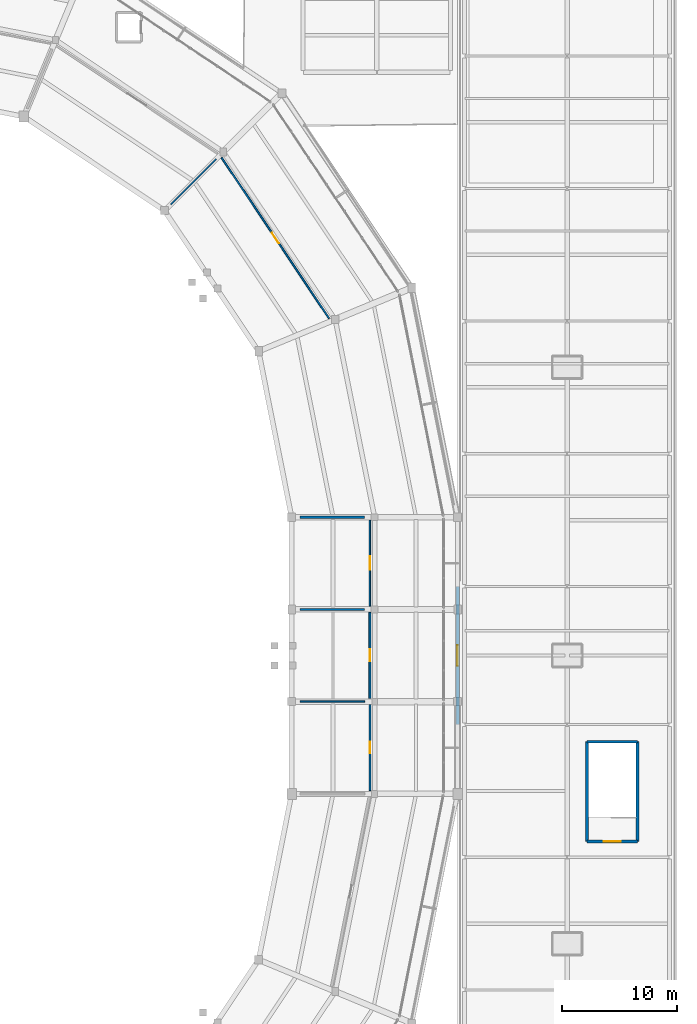
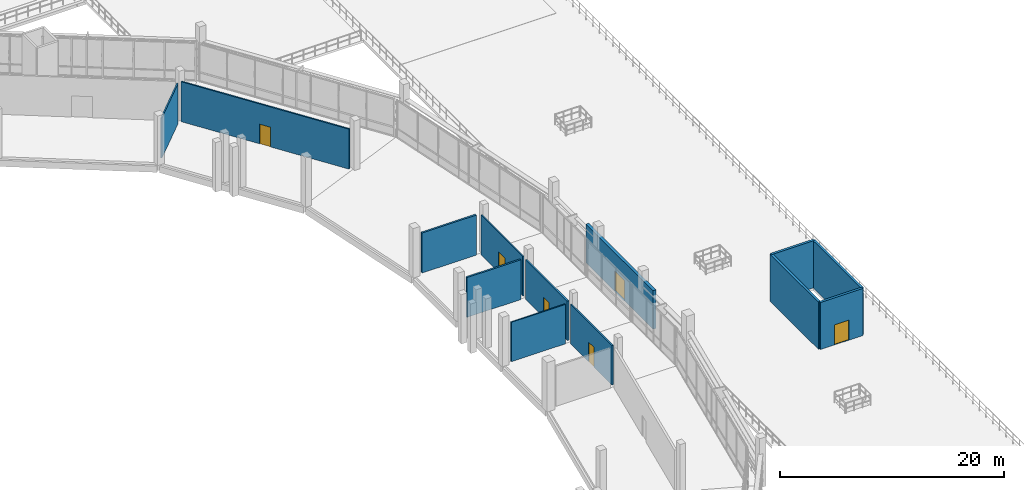
# One storey, part 77 of 111: 13 walls, 6 doors, 6 openings.
"""IFC4 building model written with IfcOpenShell, lengths in metres."""

from ifc_helpers import new_model, si_unit, direction, frame, frame_2d, origin, place, context, subcontext, project, spatial, rectangle, extrude, material, layer, layer_set, type_object, element, fill, save


model = new_model("IFC4")

# Units and contexts
model_context = context("Model", 3, precision=1e-05, world=origin(), true_north=direction((0.0, 1.0)))
body_context = subcontext(model_context, "Body", "Model", "MODEL_VIEW")
ifc_project = project(units=[si_unit("LENGTHUNIT", "METRE"), si_unit("AREAUNIT", "SQUARE_METRE"), si_unit("VOLUMEUNIT", "CUBIC_METRE"), si_unit("PLANEANGLEUNIT", "RADIAN"), si_unit("MASSUNIT", "GRAM", prefix="KILO")], contexts=[model_context])

# Site, building, storey
site_placement = place(None, origin())
site = spatial("IfcSite", under=ifc_project, at=site_placement, CompositionType="ELEMENT")
building_placement = place(site_placement, origin())
building = spatial("IfcBuilding", under=site, at=building_placement, Name="Candeia Ridge Stadium", CompositionType="ELEMENT")
storey_placement = place(building_placement, frame((0.0, 0.0, 16.199951171875)))
storey = spatial("IfcBuildingStorey", under=building, at=storey_placement, Name="L03", CompositionType="ELEMENT", Elevation=16.199951171875)

# Wall, opening, door
ifc_material_1 = material(Name="Gypsum Metal-Stud Partition", Category="gypsum")
ifc_layer_1 = layer(ifc_material_1, 0.14501953125, Name="Gypsum Metal-Stud Partition", Category="gypsum")
ifc_layer_set_1 = layer_set([ifc_layer_1], Name="Gypsum Metal-Stud Partition")
wall_type_1 = type_object("IfcWallType", Name="Athlete Recovery Partition 145", PredefinedType="PARTITIONING", material=ifc_layer_set_1)
wall_1_placement = place(storey_placement, frame((185.39990234375, 78.75, 0.0), z_axis=(0.0, 0.0, 1.0), x_axis=(0.0, -1.0, 0.0)))
wall_1 = element("IfcWall", 1, at=wall_1_placement, inside=storey, type_object=wall_type_1, Name="Interior partition PT-L03-0609", PredefinedType="PARTITIONING", context=body_context, shape_type="SweptSolid", body=[
    extrude(rectangle(XDim=7.4599609375, YDim=0.14501953125, at=frame_2d((3.72998046875, 0.0))), origin(), (0.0, 0.0, 1.0), 4.304931640625),
])
opening_1_placement = place(wall_1_placement, frame((3.239990234375, 0.0, 0.0)))
opening_1 = element("IfcOpeningElement", 2, at=opening_1_placement, cuts=wall_1, Name="Opening ID12", PredefinedType="OPENING", context=body_context, shape_type="SweptSolid", body=[
    extrude(rectangle(XDim=0.97998046875, YDim=2.14990234375, at=frame_2d((0.489990234375, 1.074951171875))), frame((0.0, 0.08251953125, 0.0), z_axis=(0.0, -1.0, 0.0), x_axis=(1.0, 0.0, 0.0)), (0.0, 0.0, 1.0), 0.1650390625),
])
ifc_material_2 = material(Name="Acoustic Timber Studio Leaf", Category="wood")
door_type_1 = type_object("IfcDoorType", Name="Commentary Booth Acoustic Door 980x2150", OperationType="NOTDEFINED", PredefinedType="DOOR", material=ifc_material_2)
door_1_placement = place(opening_1_placement, frame((0.97998046875, 0.0, 0.0), z_axis=(0.0, 0.0, 1.0), x_axis=(-1.0, 0.0, 0.0)))
door_1 = element("IfcDoor", 3, at=door_1_placement, inside=storey, type_object=door_type_1, Name="Interior room door D-L03-0313", OperationType="SINGLE_SWING_LEFT", OverallHeight=2.14990234375, OverallWidth=0.97998046875, PredefinedType="DOOR", context=body_context, shape_type="SweptSolid", body=[
    extrude(rectangle(XDim=0.97998046875, YDim=2.14990234375, at=frame_2d((0.489990234375, 1.074951171875))), frame((0.0, 0.02490234375, 0.0), z_axis=(0.0, -1.0, 0.0), x_axis=(1.0, 0.0, 0.0)), (0.0, 0.0, 1.0), 0.050048828125),
])
fill(opening_1, door_1)

wall_2_placement = place(storey_placement, frame((172.534423828125, 126.1875, 0.0), z_axis=(0.0, 0.0, 1.0), x_axis=(0.555572701103, -0.831467963177, 0.0)))
wall_2 = element("IfcWall", 4, at=wall_2_placement, inside=storey, type_object=wall_type_1, Name="Interior partition PT-L03-0615", PredefinedType="PARTITIONING", context=body_context, shape_type="SweptSolid", body=[
    extrude(rectangle(XDim=16.782958984375, YDim=0.14501953125, at=frame_2d((8.3916015625, 0.0))), origin(), (0.0, 0.0, 1.0), 4.364990234375),
])
opening_2_placement = place(wall_2_placement, frame((7.841552734375, 0.0, 0.0)))
opening_2 = element("IfcOpeningElement", 5, at=opening_2_placement, cuts=wall_2, Name="Opening FD04", PredefinedType="OPENING", context=body_context, shape_type="SweptSolid", body=[
    extrude(rectangle(XDim=1.10009765625, YDim=2.14990234375, at=frame_2d((0.550048828125, 1.074951171875))), frame((0.0, 0.08251953125, 0.0), z_axis=(0.0, -1.0, 0.0), x_axis=(1.0, 0.0, 0.0)), (0.0, 0.0, 1.0), 0.1650390625),
])
ifc_material_3 = material(Name="Galvanized Fire-Rated Steel", Category="steel")
door_type_2 = type_object("IfcDoorType", Name="Plant & Riser Rated Door 1100x2150", OperationType="NOTDEFINED", PredefinedType="DOOR", material=ifc_material_3)
door_2_placement = place(opening_2_placement, origin())
door_2 = element("IfcDoor", 6, at=door_2_placement, inside=storey, type_object=door_type_2, Name="Interior room door D-L03-0316", OperationType="SINGLE_SWING_RIGHT", OverallHeight=2.14990234375, OverallWidth=1.10009765625, PredefinedType="DOOR", context=body_context, shape_type="SweptSolid", body=[
    extrude(rectangle(XDim=1.10009765625, YDim=2.14990234375, at=frame_2d((0.550048828125, 1.074951171875))), frame((0.0, 0.02490234375, 0.0), z_axis=(0.0, -1.0, 0.0), x_axis=(1.0, 0.0, 0.0)), (0.0, 0.0, 1.0), 0.050048828125),
])
fill(opening_2, door_2)

# Walls
ifc_material_4 = material(Name="Concrete C40/50", Category="concrete")
ifc_layer_2 = layer(ifc_material_4, 0.25, Name="Concrete C40/50", Category="concrete")
ifc_layer_set_2 = layer_set([ifc_layer_2], Name="Concrete C40/50")
wall_type_2 = type_object("IfcWallType", Name="Core Shear Wall Concrete 250", PredefinedType="SHEAR", material=ifc_layer_set_2)
wall_3_placement = place(storey_placement, frame((208.62451171875, 66.87548828125, 0.0), z_axis=(0.0, 0.0, 1.0), x_axis=(0.0, 1.0, 0.0)))
element("IfcWall", 7, at=wall_3_placement, inside=storey, type_object=wall_type_2, Name="Core C16 left shear wall L03", PredefinedType="SHEAR", context=body_context, shape_type="SweptSolid", body=[
    extrude(rectangle(XDim=8.649169921875, YDim=0.25, at=frame_2d((4.32470703125, 0.0))), origin(), (0.0, 0.0, 1.0), 5.14013671875),
])
wall_4_placement = place(storey_placement, frame((208.62451171875, 75.524658203125, 0.0), z_axis=(0.0, 0.0, 1.0), x_axis=(-1.0, 0.0, 0.0)))
element("IfcWall", 8, at=wall_4_placement, inside=storey, type_object=wall_type_2, Name="Core C16 far shear wall L03", PredefinedType="SHEAR", context=body_context, shape_type="SweptSolid", body=[
    extrude(rectangle(XDim=4.399169921875, YDim=0.25, at=frame_2d((2.19970703125, 0.0))), origin(), (0.0, 0.0, 1.0), 5.14013671875),
])
wall_5_placement = place(storey_placement, frame((204.225341796875, 75.524658203125, 0.0), z_axis=(0.0, 0.0, 1.0), x_axis=(0.0, -1.0, 0.0)))
element("IfcWall", 9, at=wall_5_placement, inside=storey, type_object=wall_type_2, Name="Core C16 right shear wall L03", PredefinedType="SHEAR", context=body_context, shape_type="SweptSolid", body=[
    extrude(rectangle(XDim=8.649169921875, YDim=0.25, at=frame_2d((4.32470703125, 0.0))), origin(), (0.0, 0.0, 1.0), 5.14013671875),
])

# Wall, opening, door
wall_6_placement = place(storey_placement, frame((204.225341796875, 66.87548828125, 0.0), z_axis=(0.0, 0.0, 1.0), x_axis=(1.0, 0.0, 0.0)))
wall_6 = element("IfcWall", 10, at=wall_6_placement, inside=storey, type_object=wall_type_2, Name="Core C16 near shear wall L03", PredefinedType="SHEAR", context=body_context, shape_type="SweptSolid", body=[
    extrude(rectangle(XDim=4.399169921875, YDim=0.25, at=frame_2d((2.19970703125, 0.0))), origin(), (0.0, 0.0, 1.0), 5.14013671875),
])
opening_3_placement = place(wall_6_placement, frame((1.44970703125, 0.0, 0.0)))
opening_3 = element("IfcOpeningElement", 11, at=opening_3_placement, cuts=wall_6, Name="Opening FD01", PredefinedType="OPENING", context=body_context, shape_type="SweptSolid", body=[
    extrude(rectangle(XDim=1.5, YDim=2.199951171875, at=frame_2d((0.75, 1.10009765625))), frame((0.0, 0.135009765625, 0.0), z_axis=(0.0, -1.0, 0.0), x_axis=(1.0, 0.0, 0.0)), (0.0, 0.0, 1.0), 0.27001953125),
])
door_type_3 = type_object("IfcDoorType", Name="Exit Stair Core Fire Door 1500x2200", OperationType="NOTDEFINED", PredefinedType="DOOR", material=ifc_material_3)
door_3_placement = place(opening_3_placement, origin())
door_3 = element("IfcDoor", 12, at=door_3_placement, inside=storey, type_object=door_type_3, Name="Exit stair fire door SD-ST16-L03", OperationType="DOUBLE_DOOR_SINGLE_SWING", OverallHeight=2.199951171875, OverallWidth=1.5, PredefinedType="DOOR", context=body_context, shape_type="SweptSolid", body=[
    extrude(rectangle(XDim=1.5, YDim=2.199951171875, at=frame_2d((0.75, 1.10009765625))), frame((0.0, 0.02490234375, 0.0), z_axis=(0.0, -1.0, 0.0), x_axis=(1.0, 0.0, 0.0)), (0.0, 0.0, 1.0), 0.050048828125),
])
fill(opening_3, door_3)

# Wall
ifc_material_5 = material(Name="Gypsum Acoustic Twin-Stud Assembly", Category="gypsum")
ifc_layer_3 = layer(ifc_material_5, 0.179931640625, Name="Gypsum Acoustic Twin-Stud Assembly", Category="gypsum")
ifc_layer_set_3 = layer_set([ifc_layer_3], Name="Gypsum Acoustic Twin-Stud Assembly")
wall_type_3 = type_object("IfcWallType", Name="Corridor Fire Partition 180", PredefinedType="PARTITIONING", material=ifc_layer_set_3)
wall_7_placement = place(storey_placement, frame((179.35009765625, 87.0, 0.0), z_axis=(0.0, 0.0, 1.0), x_axis=(1.0, 0.0, 0.0)))
element("IfcWall", 13, at=wall_7_placement, inside=storey, type_object=wall_type_3, Name="Demising partition PT-L03-0612", PredefinedType="PARTITIONING", context=body_context, shape_type="SweptSolid", body=[
    extrude(rectangle(XDim=5.599853515625, YDim=0.179931640625, at=frame_2d((2.7998046875, 0.0))), origin(), (0.0, 0.0, 1.0), 4.344970703125),
])

# Wall, opening, door
ifc_material_6 = material(Name="Concrete C35/45", Category="concrete")
ifc_layer_4 = layer(ifc_material_6, 0.300048828125, Name="Concrete C35/45", Category="concrete")
ifc_layer_set_4 = layer_set([ifc_layer_4], Name="Concrete C35/45")
wall_type_4 = type_object("IfcWallType", Name="Exterior Pavilion Rainscreen Wall 300", PredefinedType="SOLIDWALL", material=ifc_layer_set_4)
wall_8_placement = place(storey_placement, frame((193.0, 77.0, 0.0), z_axis=(0.0, 0.0, 1.0), x_axis=(0.0, 1.0, 0.0)))
wall_8 = element("IfcWall", 14, at=wall_8_placement, inside=storey, type_object=wall_type_4, Name="Terrace threshold wall EW-L03-0214", PredefinedType="SOLIDWALL", context=body_context, shape_type="SweptSolid", body=[
    extrude(rectangle(XDim=12.0, YDim=0.300048828125, at=frame_2d((6.0, 0.0))), origin(), (0.0, 0.0, 1.0), 4.205078125),
])
opening_4_placement = place(wall_8_placement, frame((5.10009765625, 0.0, 0.0)))
opening_4 = element("IfcOpeningElement", 15, at=opening_4_placement, cuts=wall_8, Name="Opening ED05", PredefinedType="OPENING", context=body_context, shape_type="SweptSolid", body=[
    extrude(rectangle(XDim=1.800048828125, YDim=2.199951171875, at=frame_2d((0.89990234375, 1.10009765625))), frame((0.0, 0.159912109375, 0.0), z_axis=(0.0, -1.0, 0.0), x_axis=(1.0, 0.0, 0.0)), (0.0, 0.0, 1.0), 0.320068359375),
])
ifc_material_7 = material(Name="Aluminium Thermal-Break Glazed Door", Category="aluminium")
door_type_4 = type_object("IfcDoorType", Name="Terrace Garden Double Door 1800x2200", OperationType="NOTDEFINED", PredefinedType="DOOR", material=ifc_material_7)
door_4_placement = place(opening_4_placement, frame((1.800048828125, 0.0, 0.0), z_axis=(0.0, 0.0, 1.0), x_axis=(-1.0, 0.0, 0.0)))
door_4 = element("IfcDoor", 16, at=door_4_placement, inside=storey, type_object=door_type_4, Name="East roof garden terrace door TD-053", OperationType="DOUBLE_DOOR_SINGLE_SWING", OverallHeight=2.199951171875, OverallWidth=1.800048828125, PredefinedType="DOOR", context=body_context, shape_type="SweptSolid", body=[
    extrude(rectangle(XDim=1.800048828125, YDim=2.199951171875, at=frame_2d((0.89990234375, 1.10009765625))), frame((0.0, 0.02490234375, 0.0), z_axis=(0.0, -1.0, 0.0), x_axis=(1.0, 0.0, 0.0)), (0.0, 0.0, 1.0), 0.050048828125),
])
fill(opening_4, door_4)

# Wall
ifc_layer_5 = layer(ifc_material_1, 0.135009765625, Name="Gypsum Metal-Stud Partition", Category="gypsum")
ifc_layer_set_5 = layer_set([ifc_layer_5], Name="Gypsum Metal-Stud Partition")
wall_type_5 = type_object("IfcWallType", Name="General Room Partition 135", PredefinedType="PARTITIONING", material=ifc_layer_set_5)
wall_9_placement = place(storey_placement, frame((168.117431640625, 122.117431640625, 0.0), z_axis=(0.0, 0.0, 1.0), x_axis=(0.707106781187, 0.707106781187, 0.0)))
element("IfcWall", 17, at=wall_9_placement, inside=storey, type_object=wall_type_5, Name="Demising partition PT-L03-0616", PredefinedType="PARTITIONING", context=body_context, shape_type="SweptSolid", body=[
    extrude(rectangle(XDim=5.600341796875, YDim=0.135009765625, at=frame_2d((2.80029296875, 0.0))), origin(), (0.0, 0.0, 1.0), 4.385009765625),
])

# Wall, opening, door
ifc_layer_6 = layer(ifc_material_5, 0.1650390625, Name="Gypsum Acoustic Twin-Stud Assembly", Category="gypsum")
ifc_layer_set_6 = layer_set([ifc_layer_6], Name="Gypsum Acoustic Twin-Stud Assembly")
wall_type_6 = type_object("IfcWallType", Name="Hospitality Suite Acoustic Wall 165", PredefinedType="PARTITIONING", material=ifc_layer_set_6)
wall_10_placement = place(storey_placement, frame((185.39990234375, 86.75, 0.0), z_axis=(0.0, 0.0, 1.0), x_axis=(0.0, -1.0, 0.0)))
wall_10 = element("IfcWall", 18, at=wall_10_placement, inside=storey, type_object=wall_type_6, Name="Interior partition PT-L03-0611", PredefinedType="PARTITIONING", context=body_context, shape_type="SweptSolid", body=[
    extrude(rectangle(XDim=7.4599609375, YDim=0.1650390625, at=frame_2d((3.72998046875, 0.0))), origin(), (0.0, 0.0, 1.0), 4.304931640625),
])
opening_5_placement = place(wall_10_placement, frame((3.219970703125, 0.0, 0.0)))
opening_5 = element("IfcOpeningElement", 19, at=opening_5_placement, cuts=wall_10, Name="Opening ID16", PredefinedType="OPENING", context=body_context, shape_type="SweptSolid", body=[
    extrude(rectangle(XDim=1.02001953125, YDim=2.14990234375, at=frame_2d((0.510009765625, 1.074951171875))), frame((0.0, 0.092529296875, 0.0), z_axis=(0.0, -1.0, 0.0), x_axis=(1.0, 0.0, 0.0)), (0.0, 0.0, 1.0), 0.18505859375),
])
ifc_material_8 = material(Name="Solid Core Cedar Veneer", Category="wood")
door_type_5 = type_object("IfcDoorType", Name="Community Classroom Door 1020x2150", OperationType="NOTDEFINED", PredefinedType="DOOR", material=ifc_material_8)
door_5_placement = place(opening_5_placement, frame((1.02001953125, 0.0, 0.0), z_axis=(0.0, 0.0, 1.0), x_axis=(-1.0, 0.0, 0.0)))
door_5 = element("IfcDoor", 20, at=door_5_placement, inside=storey, type_object=door_type_5, Name="Interior room door D-L03-0314", OperationType="SINGLE_SWING_RIGHT", OverallHeight=2.14990234375, OverallWidth=1.02001953125, PredefinedType="DOOR", context=body_context, shape_type="SweptSolid", body=[
    extrude(rectangle(XDim=1.02001953125, YDim=2.14990234375, at=frame_2d((0.510009765625, 1.074951171875))), frame((0.0, 0.02490234375, 0.0), z_axis=(0.0, -1.0, 0.0), x_axis=(1.0, 0.0, 0.0)), (0.0, 0.0, 1.0), 0.050048828125),
])
fill(opening_5, door_5)

# Wall
ifc_material_9 = material(Name="Gypsum Acoustic Triple-Board Wall", Category="gypsum")
ifc_layer_7 = layer(ifc_material_9, 0.18994140625, Name="Gypsum Acoustic Triple-Board Wall", Category="gypsum")
ifc_layer_set_7 = layer_set([ifc_layer_7], Name="Gypsum Acoustic Triple-Board Wall")
wall_type_7 = type_object("IfcWallType", Name="Media & Commentary Studio Wall 190", PredefinedType="PARTITIONING", material=ifc_layer_set_7)
wall_11_placement = place(storey_placement, frame((179.35009765625, 95.0, 0.0), z_axis=(0.0, 0.0, 1.0), x_axis=(1.0, 0.0, 0.0)))
element("IfcWall", 21, at=wall_11_placement, inside=storey, type_object=wall_type_7, Name="Demising partition PT-L03-0614", PredefinedType="PARTITIONING", context=body_context, shape_type="SweptSolid", body=[
    extrude(rectangle(XDim=5.599853515625, YDim=0.18994140625, at=frame_2d((2.7998046875, 0.0))), origin(), (0.0, 0.0, 1.0), 4.375),
])

# Wall, opening, door
ifc_layer_8 = layer(ifc_material_1, 0.1201171875, Name="Gypsum Metal-Stud Partition", Category="gypsum")
ifc_layer_set_8 = layer_set([ifc_layer_8], Name="Gypsum Metal-Stud Partition")
wall_type_8 = type_object("IfcWallType", Name="Suite Internal Divider 120", PredefinedType="PARTITIONING", material=ifc_layer_set_8)
wall_12_placement = place(storey_placement, frame((185.39990234375, 94.75, 0.0), z_axis=(0.0, 0.0, 1.0), x_axis=(0.0, -1.0, 0.0)))
wall_12 = element("IfcWall", 22, at=wall_12_placement, inside=storey, type_object=wall_type_8, Name="Interior partition PT-L03-0613", PredefinedType="PARTITIONING", context=body_context, shape_type="SweptSolid", body=[
    extrude(rectangle(XDim=7.4599609375, YDim=0.1201171875, at=frame_2d((3.72998046875, 0.0))), origin(), (0.0, 0.0, 1.0), 4.344970703125),
])
opening_6_placement = place(wall_12_placement, frame((3.155029296875, 0.0, 0.0)))
opening_6 = element("IfcOpeningElement", 23, at=opening_6_placement, cuts=wall_12, Name="Opening ID02", PredefinedType="OPENING", context=body_context, shape_type="SweptSolid", body=[
    extrude(rectangle(XDim=1.14990234375, YDim=2.199951171875, at=frame_2d((0.574951171875, 1.10009765625))), frame((0.0, 0.070068359375, 0.0), z_axis=(0.0, -1.0, 0.0), x_axis=(1.0, 0.0, 0.0)), (0.0, 0.0, 1.0), 0.14013671875),
])
door_type_6 = type_object("IfcDoorType", Name="Broadcast & Press Studio Door 1150x2200", OperationType="NOTDEFINED", PredefinedType="DOOR", material=ifc_material_2)
door_6_placement = place(opening_6_placement, origin())
door_6 = element("IfcDoor", 24, at=door_6_placement, inside=storey, type_object=door_type_6, Name="Interior room door D-L03-0315", OperationType="SINGLE_SWING_LEFT", OverallHeight=2.199951171875, OverallWidth=1.14990234375, PredefinedType="DOOR", context=body_context, shape_type="SweptSolid", body=[
    extrude(rectangle(XDim=1.14990234375, YDim=2.199951171875, at=frame_2d((0.574951171875, 1.10009765625))), frame((0.0, 0.02490234375, 0.0), z_axis=(0.0, -1.0, 0.0), x_axis=(1.0, 0.0, 0.0)), (0.0, 0.0, 1.0), 0.050048828125),
])
fill(opening_6, door_6)

# Wall
ifc_layer_9 = layer(ifc_material_1, 0.1298828125, Name="Gypsum Metal-Stud Partition", Category="gypsum")
ifc_layer_set_9 = layer_set([ifc_layer_9], Name="Gypsum Metal-Stud Partition")
wall_type_9 = type_object("IfcWallType", Name="Ticketing Back-Office Partition 130", PredefinedType="PARTITIONING", material=ifc_layer_set_9)
wall_13_placement = place(storey_placement, frame((179.35009765625, 79.0, 0.0), z_axis=(0.0, 0.0, 1.0), x_axis=(1.0, 0.0, 0.0)))
element("IfcWall", 25, at=wall_13_placement, inside=storey, type_object=wall_type_9, Name="Demising partition PT-L03-0610", PredefinedType="PARTITIONING", context=body_context, shape_type="SweptSolid", body=[
    extrude(rectangle(XDim=5.599853515625, YDim=0.1298828125, at=frame_2d((2.7998046875, 0.0))), origin(), (0.0, 0.0, 1.0), 4.304931640625),
])

save(model, "model.ifc")
